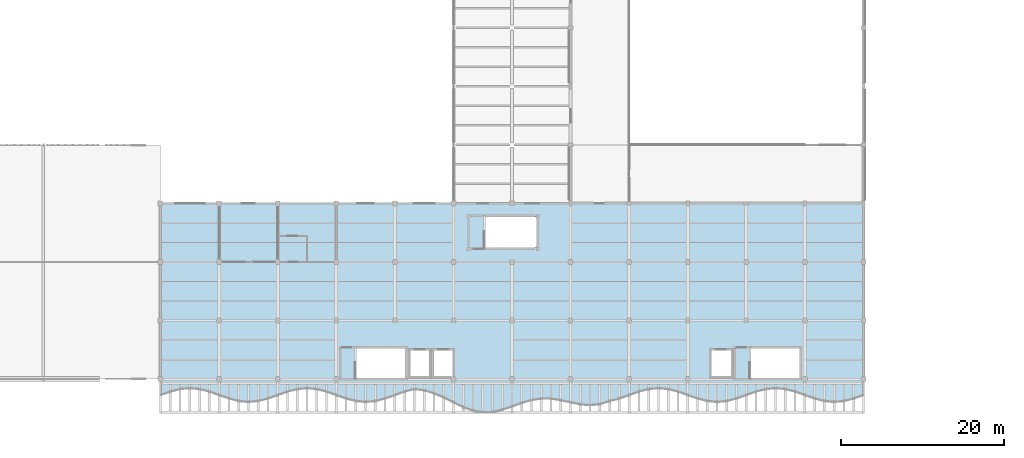
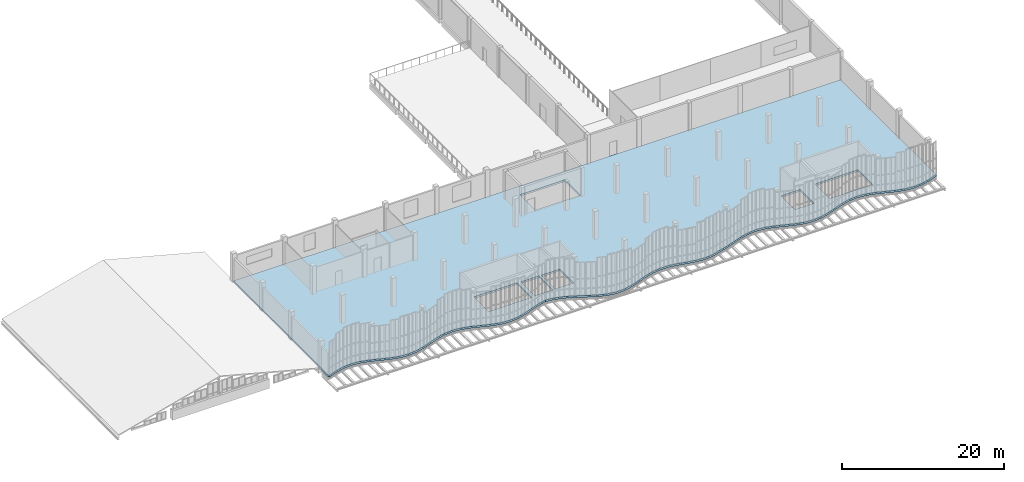
# One storey, part 56 of 76: 1 slab.
"""IFC4 building model written with IfcOpenShell, lengths in metres."""

from ifc_helpers import new_model, si_unit, direction, frame, origin, place, context, subcontext, project, spatial, polyline, outline, extrude, material, layer, layer_set, type_object, element, save


model = new_model("IFC4")

# Units and contexts
model_context = context("Model", 3, precision=1e-05, world=origin(), true_north=direction((0.0, 1.0)))
body_context = subcontext(model_context, "Body", "Model", "MODEL_VIEW")
ifc_project = project(units=[si_unit("LENGTHUNIT", "METRE"), si_unit("AREAUNIT", "SQUARE_METRE"), si_unit("VOLUMEUNIT", "CUBIC_METRE"), si_unit("PLANEANGLEUNIT", "RADIAN"), si_unit("MASSUNIT", "GRAM", prefix="KILO"), si_unit("THERMODYNAMICTEMPERATUREUNIT", "KELVIN"), si_unit("POWERUNIT", "WATT")], contexts=[model_context])

# Site, building, storey
site_placement = place(None, origin())
site = spatial("IfcSite", under=ifc_project, at=site_placement, CompositionType="ELEMENT")
building_placement = place(site_placement, origin())
building = spatial("IfcBuilding", under=site, at=building_placement, Name="Kaldorven Railside Theatre", CompositionType="ELEMENT")
storey_placement = place(building_placement, frame((0.0, 0.0, 14.39990234375)))
storey = spatial("IfcBuildingStorey", under=building, at=storey_placement, Name="L03", CompositionType="ELEMENT", Elevation=14.39990234375)

# Slab
ifc_material = material(Name="Concrete C35/45", Category="concrete")
ifc_layer = layer(ifc_material, 0.280029296875, Name="Concrete C35/45")
ifc_layer_set = layer_set([ifc_layer], Name="Concrete C35/45")
slab_type = type_object("IfcSlabType", Name="SLB-FSL-280", PredefinedType="FLOOR", material=ifc_layer_set)
slab_placement = place(storey_placement, frame((0.0, 0.0, -0.27978515625)))
element("IfcSlab", 1, at=slab_placement, inside=storey, type_object=slab_type, Name="L03 Floor Slab SL-L03-V5S", PredefinedType="FLOOR", context=body_context, shape_type="SweptSolid", body=[
    extrude(outline(polyline([(36.800048828125, 17.25), (38.0, 17.675048828125), (39.199951171875, 17.986083984375), (40.39990234375, 18.10009765625), (41.60009765625, 17.986083984375), (42.800048828125, 17.675048828125), (44.0, 17.25), (45.199951171875, 16.824951171875), (46.39990234375, 16.513916015625), (47.60009765625, 16.39990234375), (48.800048828125, 16.513916015625), (50.0, 16.824951171875), (51.199951171875, 17.25), (52.39990234375, 17.675048828125), (53.60009765625, 17.986083984375), (54.800048828125, 18.10009765625), (56.0, 17.986083984375), (57.199951171875, 17.675048828125), (58.39990234375, 17.25), (59.60009765625, 16.824951171875), (60.800048828125, 16.513916015625), (62.0, 16.39990234375), (63.199951171875, 16.513916015625), (64.39990234375, 16.824951171875), (65.60009765625, 17.25), (66.800048828125, 17.675048828125), (68.0, 17.986083984375), (69.199951171875, 17.830322265625), (70.39990234375, 17.476318359375), (71.60009765625, 16.954345703125), (72.800048828125, 16.347412109375), (74.0, 15.768798828125), (75.199951171875, 15.332275390625), (76.39990234375, 15.12109375), (77.60009765625, 15.165771484375), (78.800048828125, 15.435302734375), (80.0, 15.846435546875), (81.199951171875, 16.285400390625), (82.39990234375, 16.637939453125), (83.60009765625, 16.8212890625), (84.800048828125, 16.8046875), (86.0, 16.618896484375), (87.199951171875, 16.347412109375), (88.39990234375, 16.1044921875), (89.60009765625, 16.004150390625), (90.800048828125, 16.13037109375), (92.0, 16.513916015625), (93.199951171875, 16.824951171875), (94.39990234375, 17.25), (95.60009765625, 17.675048828125), (96.800048828125, 17.986083984375), (98.0, 18.10009765625), (99.199951171875, 17.986083984375), (100.39990234375, 17.675048828125), (101.60009765625, 17.25), (102.800048828125, 16.824951171875), (104.0, 16.513916015625), (105.199951171875, 16.39990234375), (106.39990234375, 16.513916015625), (107.60009765625, 16.824951171875), (108.800048828125, 17.25), (110.0, 17.675048828125), (111.199951171875, 17.986083984375), (112.39990234375, 18.10009765625), (113.60009765625, 17.986083984375), (114.800048828125, 17.675048828125), (116.0, 17.25), (117.199951171875, 16.824951171875), (118.39990234375, 16.513916015625), (119.60009765625, 16.39990234375), (120.800048828125, 16.513916015625), (122.0, 16.824951171875), (123.199951171875, 17.25), (123.199951171875, 40.800048828125), (36.800048828125, 40.800048828125), (36.800048828125, 17.25)]), holes=[polyline([(60.75, 19.35009765625), (66.85009765625, 19.35009765625), (66.85009765625, 22.949951171875), (60.75, 22.949951171875), (60.75, 19.35009765625)]), polyline([(109.25, 19.35009765625), (115.35009765625, 19.35009765625), (115.35009765625, 22.949951171875), (109.25, 22.949951171875), (109.25, 19.35009765625)]), polyline([(76.60009765625, 35.35009765625), (83.0, 35.35009765625), (83.0, 39.14990234375), (76.60009765625, 39.14990234375), (76.60009765625, 35.35009765625)]), polyline([(69.949951171875, 19.449951171875), (69.949951171875, 22.85009765625), (67.35009765625, 22.85009765625), (67.35009765625, 19.449951171875), (69.949951171875, 19.449951171875)]), polyline([(72.85009765625, 19.449951171875), (72.85009765625, 22.85009765625), (70.25, 22.85009765625), (70.25, 19.449951171875), (72.85009765625, 19.449951171875)]), polyline([(107.050048828125, 19.449951171875), (107.050048828125, 22.85009765625), (104.35009765625, 22.85009765625), (104.35009765625, 19.449951171875), (107.050048828125, 19.449951171875)])]), origin(), (0.0, 0.0, 1.0), 0.27978515625),
])

save(model, "model.ifc")
